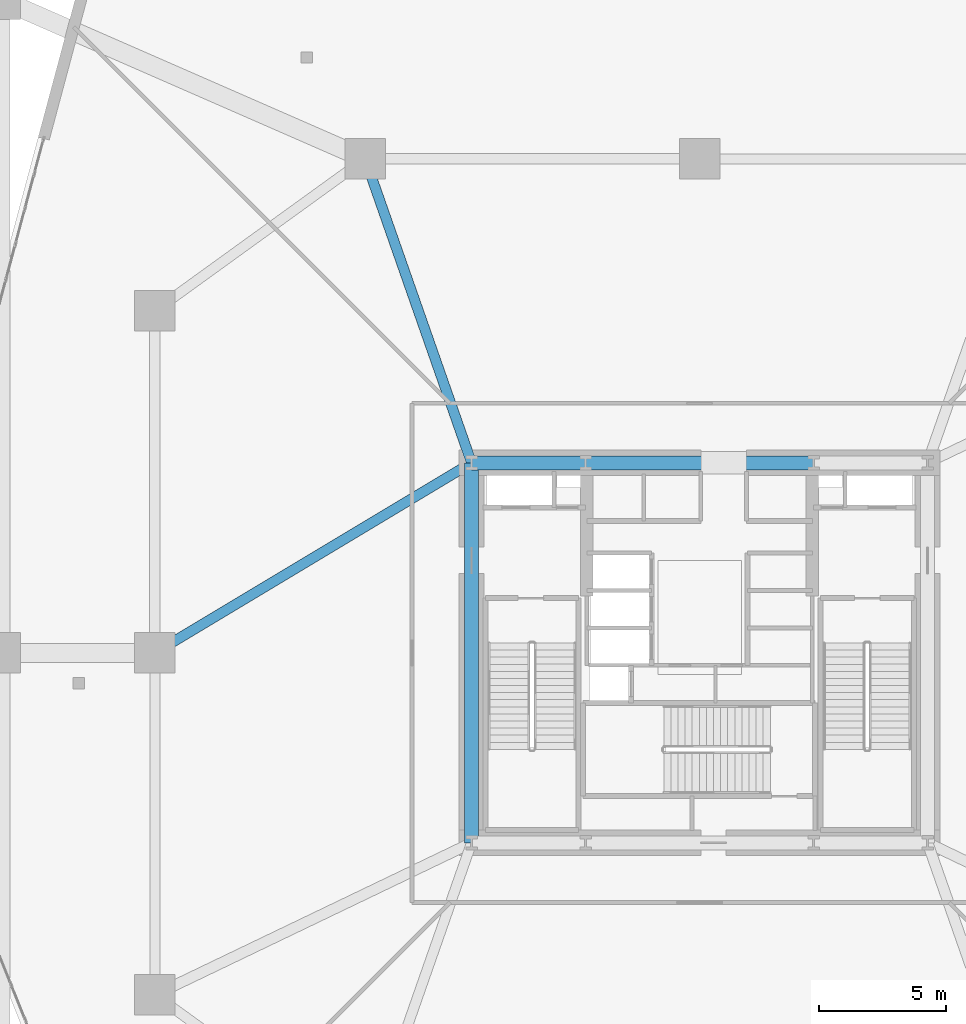
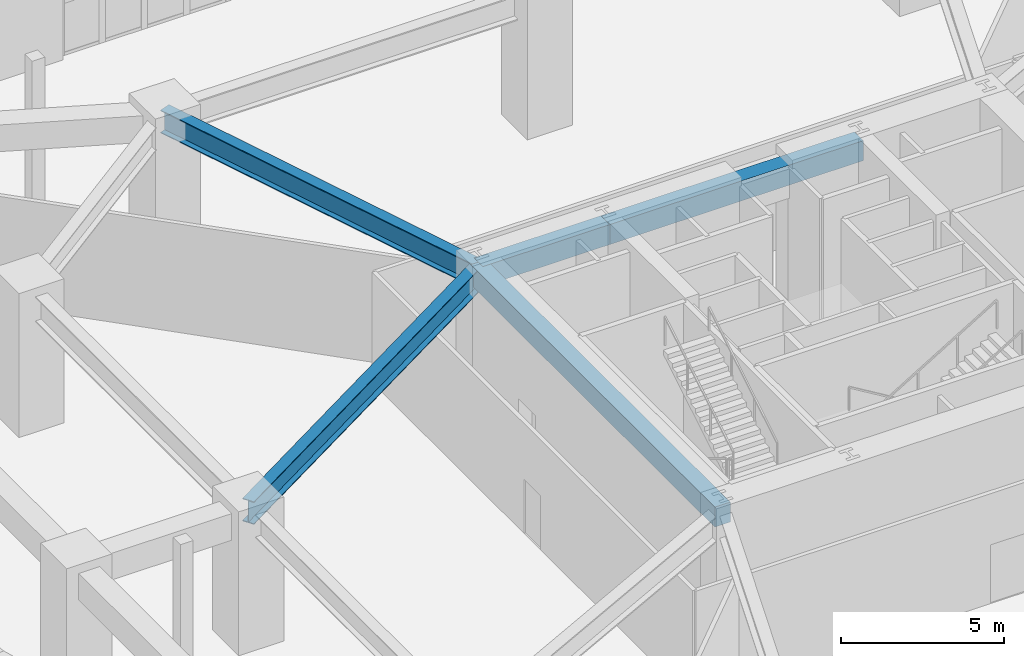
# One storey, part 16 of 34: 5 beams.
"""IFC4 building model written with IfcOpenShell, lengths in metres."""

from ifc_helpers import new_model, si_unit, direction, frame, origin, origin_2d, place, context, subcontext, project, spatial, rectangle, i_section, extrude, material, material_profile, profile_set, type_object, element, save


model = new_model("IFC4")

# Units and contexts
model_context = context("Model", 3, precision=1e-05, world=origin(), true_north=direction((0.0, 1.0)))
body_context = subcontext(model_context, "Body", "Model", "MODEL_VIEW")
ifc_project = project(units=[si_unit("LENGTHUNIT", "METRE"), si_unit("AREAUNIT", "SQUARE_METRE"), si_unit("VOLUMEUNIT", "CUBIC_METRE"), si_unit("PLANEANGLEUNIT", "RADIAN"), si_unit("MASSUNIT", "GRAM", prefix="KILO")], contexts=[model_context])

# Site, building, storey
site_placement = place(None, origin())
site = spatial("IfcSite", under=ifc_project, at=site_placement, CompositionType="ELEMENT")
building_placement = place(site_placement, origin())
building = spatial("IfcBuilding", under=site, at=building_placement, Name="Kilnhurst Terrace Hotel", CompositionType="ELEMENT")
storey_placement = place(building_placement, frame((0.0, 0.0, 6.0)))
storey = spatial("IfcBuildingStorey", under=building, at=storey_placement, Name="L01", CompositionType="ELEMENT", Elevation=6.0)

# Beams
ifc_material_1 = material(Name="Concrete C50/60", Category="concrete")
ifc_material_profile_1 = material_profile(ifc_material_1, rectangle(XDim=0.550048828125, YDim=0.75, at=origin_2d()), Name="RC550X750")
ifc_profile_set_1 = profile_set([ifc_material_profile_1], Name="Concrete C50/60")
beam_type_1 = type_object("IfcBeamType", Name="BM-SPN-550X750", PredefinedType="SPANDREL", material=ifc_profile_set_1)
beam_1_placement = place(storey_placement, frame((-9.0, 7.5, 4.705078125), z_axis=(1.0, 0.0, 0.0), x_axis=(0.0, 1.0, 0.0)))
element("IfcBeam", 1, at=beam_1_placement, inside=storey, type_object=beam_type_1, Name="L01 Core Tie Beam CC-NW to CC-NC1", PredefinedType="SPANDREL", context=body_context, shape_type="SweptSolid", body=[
    extrude(rectangle(XDim=0.550048828125, YDim=0.75, at=origin_2d()), origin(), (0.0, 0.0, 1.0), 4.5),
])
beam_2_placement = place(storey_placement, frame((-4.5, 7.5, 4.705078125), z_axis=(1.0, 0.0, 0.0), x_axis=(0.0, 1.0, 0.0)))
element("IfcBeam", 2, at=beam_2_placement, inside=storey, type_object=beam_type_1, Name="L01 Core Tie Beam CC-NC1 to CC-NC2", PredefinedType="SPANDREL", context=body_context, shape_type="SweptSolid", body=[
    extrude(rectangle(XDim=0.550048828125, YDim=0.75, at=origin_2d()), origin(), (0.0, 0.0, 1.0), 9.0),
])
beam_3_placement = place(storey_placement, frame((-9.0, -7.5, 4.705078125), z_axis=(0.0, 1.0, 0.0), x_axis=(-1.0, 0.0, 0.0)))
element("IfcBeam", 3, at=beam_3_placement, inside=storey, type_object=beam_type_1, Name="L01 Core Tie Beam CC-SW to CC-NW", PredefinedType="SPANDREL", context=body_context, shape_type="SweptSolid", body=[
    extrude(rectangle(XDim=0.550048828125, YDim=0.75, at=origin_2d()), origin(), (0.0, 0.0, 1.0), 15.0),
])
ifc_material_2 = material(Name="Steel ASTM A992 Grade 50", Category="steel")
ifc_material_profile_2 = material_profile(ifc_material_2, i_section(OverallWidth=0.39990234375, OverallDepth=0.85546875, WebThickness=0.018310546875, FlangeThickness=0.029296875, at=origin_2d()), Name="W33X201")
ifc_profile_set_2 = profile_set([ifc_material_profile_2], Name="Steel ASTM A992 Grade 50")
beam_type_2 = type_object("IfcBeamType", Name="BM-STL-W33X201", PredefinedType="BEAM", material=ifc_profile_set_2)
beam_4_placement = place(storey_placement, frame((-21.5, 0.0, 4.652099609375), z_axis=(0.857492925713, 0.514495755428, 0.0), x_axis=(-0.514495755428, 0.857492925713, 0.0)))
element("IfcBeam", 4, at=beam_4_placement, inside=storey, type_object=beam_type_2, Name="L01 Podium Frame Beam 9", PredefinedType="BEAM", context=body_context, shape_type="SweptSolid", body=[
    extrude(i_section(OverallWidth=0.39990234375, OverallDepth=0.85546875, WebThickness=0.018310546875, FlangeThickness=0.029296875, at=origin_2d()), origin(), (0.0, 0.0, 1.0), 14.577392578125),
])
beam_5_placement = place(storey_placement, frame((-13.199951171875, 19.5, 4.652099609375), z_axis=(0.330347003279, -0.943859553866, 0.0), x_axis=(0.943859553866, 0.330347003279, 0.0)))
element("IfcBeam", 5, at=beam_5_placement, inside=storey, type_object=beam_type_2, Name="L01 Podium Frame Beam 13", PredefinedType="BEAM", context=body_context, shape_type="SweptSolid", body=[
    extrude(i_section(OverallWidth=0.39990234375, OverallDepth=0.85546875, WebThickness=0.018310546875, FlangeThickness=0.029296875, at=origin_2d()), origin(), (0.0, 0.0, 1.0), 12.7138671875),
])

save(model, "model.ifc")
